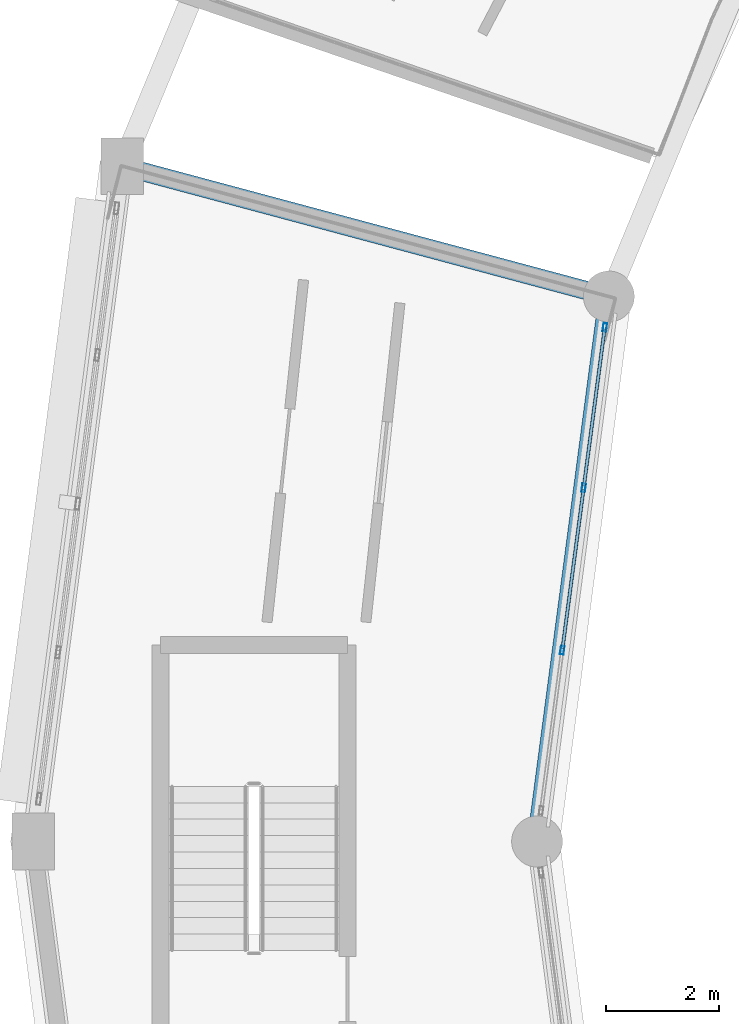
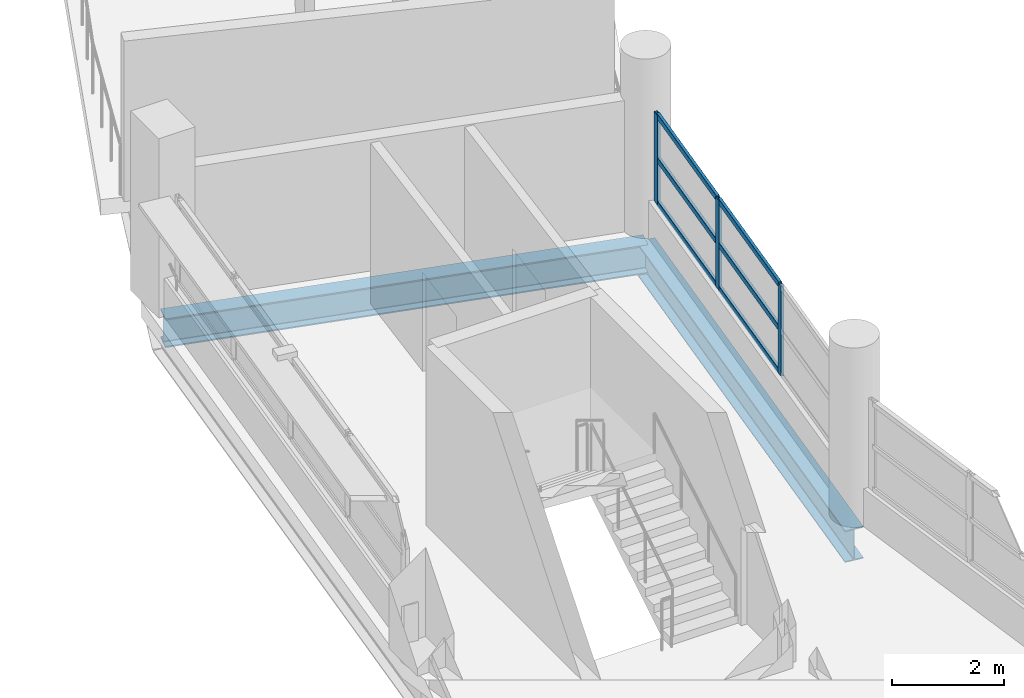
# One storey, part 38 of 121: 9 members, 2 beams, 1 element without a shape of its own.
"""IFC4 building model written with IfcOpenShell, lengths in metres."""

from ifc_helpers import new_model, si_unit, direction, frame, origin, origin_2d, place, context, subcontext, project, spatial, hollow_rectangle, i_section, extrude, material, layer, layer_set, material_profile, profile_set, type_object, element, aggregate, save


model = new_model("IFC4")

# Units and contexts
model_context = context("Model", 3, precision=1e-05, world=origin(), true_north=direction((0.0, 1.0)))
body_context = subcontext(model_context, "Body", "Model", "MODEL_VIEW")
ifc_project = project(units=[si_unit("LENGTHUNIT", "METRE"), si_unit("AREAUNIT", "SQUARE_METRE"), si_unit("VOLUMEUNIT", "CUBIC_METRE"), si_unit("PLANEANGLEUNIT", "RADIAN"), si_unit("MASSUNIT", "GRAM", prefix="KILO")], contexts=[model_context])

# Site, building, storey
site_placement = place(None, origin())
site = spatial("IfcSite", under=ifc_project, at=site_placement, CompositionType="ELEMENT")
building_placement = place(site_placement, origin())
building = spatial("IfcBuilding", under=site, at=building_placement, Name="Vespera Passage Community Centre", CompositionType="ELEMENT")
storey_placement = place(building_placement, frame((0.0, 0.0, 8.699951171875)))
storey = spatial("IfcBuildingStorey", under=building, at=storey_placement, Name="L02", CompositionType="ELEMENT", Elevation=8.699951171875)

# Beams
ifc_material_1 = material(Name="Steel ASTM A992 Grade 50", Category="steel")
ifc_material_profile_1 = material_profile(ifc_material_1, i_section(OverallWidth=0.32763671875, OverallDepth=0.62841796875, WebThickness=0.0166015625, FlangeThickness=0.027587890625, FilletRadius=0.0126953125, at=origin_2d()), Name="W24X146")
ifc_profile_set_1 = profile_set([ifc_material_profile_1], Name="Steel ASTM A992 Grade 50")
beam_type_1 = type_object("IfcBeamType", Name="BM-G-W24X146", PredefinedType="BEAM", material=ifc_profile_set_1)
beam_1_placement = place(storey_placement, frame((42.067626953125, 75.128173828125, -0.654052734375), z_axis=(-0.9659278487, 0.258811497245, 0.0), x_axis=(-0.258811497245, -0.9659278487, 0.0)))
element("IfcBeam", 1, at=beam_1_placement, inside=storey, type_object=beam_type_1, Name="V4 L02 Radial Girder 11", PredefinedType="BEAM", context=body_context, shape_type="SweptSolid", body=[
    extrude(i_section(OverallWidth=0.32763671875, OverallDepth=0.62841796875, WebThickness=0.0166015625, FlangeThickness=0.027587890625, FilletRadius=0.0126953125, at=origin_2d()), origin(), (0.0, 0.0, 1.0), 8.900146484375),
])
ifc_material_2 = material(Name="Steel ASTM A992 Grade 50", Category="steel")
ifc_material_profile_2 = material_profile(ifc_material_2, i_section(OverallWidth=0.3544921875, OverallDepth=0.695556640625, WebThickness=0.015380859375, FlangeThickness=0.024658203125, FilletRadius=0.01513671875, at=origin_2d()), Name="W27X146")
ifc_profile_set_2 = profile_set([ifc_material_profile_2], Name="Steel ASTM A992 Grade 50")
beam_type_2 = type_object("IfcBeamType", Name="BM-SP-W27X146E", PredefinedType="SPANDREL", material=ifc_profile_set_2)
beam_2_placement = place(storey_placement, frame((42.067626953125, 75.128173828125, -0.687744140625), z_axis=(-0.130526697639, -0.991444794834, 0.0), x_axis=(0.991444794834, -0.130526697639, 0.0)))
element("IfcBeam", 2, at=beam_2_placement, inside=storey, type_object=beam_type_2, Name="V4 L02 Inner Spandrel 11", PredefinedType="SPANDREL", context=body_context, shape_type="SweptSolid", body=[
    extrude(i_section(OverallWidth=0.3544921875, OverallDepth=0.695556640625, WebThickness=0.015380859375, FlangeThickness=0.024658203125, FilletRadius=0.01513671875, at=origin_2d()), origin(), (0.0, 0.0, 1.0), 9.711181640625),
])

# Curtain wall, members
ifc_material_3 = material(Name="Anodized aluminium 6063-T6", Category="aluminium")
ifc_layer = layer(ifc_material_3, 0.159912109375)
ifc_layer_set = layer_set([ifc_layer], Name="Anodized aluminium 6063-T6")
curtain_wall_type = type_object("IfcCurtainWallType", Name="CW-27E", PredefinedType="NOTDEFINED", material=ifc_layer_set)
curtain_wall_placement = place(storey_placement, origin())
curtain_wall = element("IfcCurtainWall", 3, at=curtain_wall_placement, inside=storey, type_object=curtain_wall_type, Name="V4 L02 Inner Court Curtain Wall 11", PredefinedType="NOTDEFINED")
ifc_material_4 = material(Name="Anodized aluminium 6063-T6", Category="aluminium")
ifc_material_profile_3 = material_profile(ifc_material_4, hollow_rectangle(XDim=0.06494140625, YDim=0.14990234375, WallThickness=0.00390625, InnerFilletRadius=0.001953125, OuterFilletRadius=0.00390625, at=origin_2d()), Name="ALU150X65X4")
ifc_profile_set_3 = profile_set([ifc_material_profile_3], Name="Anodized aluminium 6063-T6")
member_type_1 = type_object("IfcMemberType", Name="MB-CWM-150E", PredefinedType="MULLION", material=ifc_profile_set_3)
member_1_placement = place(storey_placement, frame((41.995849609375, 74.582763671875, 0.820068359375), z_axis=(0.0, 0.0, 1.0), x_axis=(0.991445387728, -0.1305221941, 0.0)))
member_1 = element("IfcMember", 4, at=member_1_placement, type_object=member_type_1, Name="CW-27E mullion 1", PredefinedType="MULLION", context=body_context, shape_type="SweptSolid", body=[
    extrude(hollow_rectangle(XDim=0.06494140625, YDim=0.14990234375, WallThickness=0.00390625, InnerFilletRadius=0.001953125, OuterFilletRadius=0.00390625, at=origin_2d()), origin(), (0.0, 0.0, 1.0), 1.949462890625),
])
member_2_placement = place(storey_placement, frame((41.62255859375, 71.74755859375, 0.820068359375), z_axis=(0.0, 0.0, 1.0), x_axis=(0.991445387728, -0.1305221941, 0.0)))
member_2 = element("IfcMember", 5, at=member_2_placement, type_object=member_type_1, Name="CW-27E mullion 2", PredefinedType="MULLION", context=body_context, shape_type="SweptSolid", body=[
    extrude(hollow_rectangle(XDim=0.06494140625, YDim=0.14990234375, WallThickness=0.00390625, InnerFilletRadius=0.001953125, OuterFilletRadius=0.00390625, at=origin_2d()), origin(), (0.0, 0.0, 1.0), 1.949462890625),
])
member_3_placement = place(storey_placement, frame((41.2451171875, 68.88037109375, 0.820068359375), z_axis=(0.0, 0.0, 1.0), x_axis=(0.991445387728, -0.1305221941, 0.0)))
member_3 = element("IfcMember", 6, at=member_3_placement, type_object=member_type_1, Name="CW-27E mullion 3", PredefinedType="MULLION", context=body_context, shape_type="SweptSolid", body=[
    extrude(hollow_rectangle(XDim=0.06494140625, YDim=0.14990234375, WallThickness=0.00390625, InnerFilletRadius=0.001953125, OuterFilletRadius=0.00390625, at=origin_2d()), origin(), (0.0, 0.0, 1.0), 1.949462890625),
])
ifc_material_5 = material(Name="Anodized aluminium 6063-T6", Category="aluminium")
ifc_material_profile_4 = material_profile(ifc_material_5, hollow_rectangle(XDim=0.06005859375, YDim=0.1201171875, WallThickness=0.00390625, InnerFilletRadius=0.001953125, OuterFilletRadius=0.00390625, at=origin_2d()), Name="ALU120X60X4")
ifc_profile_set_4 = profile_set([ifc_material_profile_4], Name="Anodized aluminium 6063-T6")
member_type_2 = type_object("IfcMemberType", Name="MB-CWT-120E", PredefinedType="USERDEFINED", material=ifc_profile_set_4)
member_4_placement = place(storey_placement, frame((41.991455078125, 74.550537109375, 0.85009765625), z_axis=(-0.130515527399, -0.991446265366, 0.0), x_axis=(0.991446265366, -0.130515527399, 0.0)))
member_4 = element("IfcMember", 7, at=member_4_placement, type_object=member_type_2, Name="CW-27E transom 1.1", ObjectType="TRANSOM", PredefinedType="USERDEFINED", context=body_context, shape_type="SweptSolid", body=[
    extrude(hollow_rectangle(XDim=0.06005859375, YDim=0.1201171875, WallThickness=0.00390625, InnerFilletRadius=0.001953125, OuterFilletRadius=0.00390625, at=origin_2d()), origin(), (0.0, 0.0, 1.0), 2.794677734375),
])
member_5_placement = place(storey_placement, frame((41.991455078125, 74.550537109375, 1.794677734375), z_axis=(-0.130515527399, -0.991446265366, 0.0), x_axis=(0.991446265366, -0.130515527399, 0.0)))
member_5 = element("IfcMember", 8, at=member_5_placement, type_object=member_type_2, Name="CW-27E transom 1.2", ObjectType="TRANSOM", PredefinedType="USERDEFINED", context=body_context, shape_type="SweptSolid", body=[
    extrude(hollow_rectangle(XDim=0.06005859375, YDim=0.1201171875, WallThickness=0.00390625, InnerFilletRadius=0.001953125, OuterFilletRadius=0.00390625, at=origin_2d()), origin(), (0.0, 0.0, 1.0), 2.794677734375),
])
member_6_placement = place(storey_placement, frame((41.991455078125, 74.550537109375, 2.739501953125), z_axis=(-0.130515527399, -0.991446265366, 0.0), x_axis=(0.991446265366, -0.130515527399, 0.0)))
member_6 = element("IfcMember", 9, at=member_6_placement, type_object=member_type_2, Name="CW-27E transom 1.3", ObjectType="TRANSOM", PredefinedType="USERDEFINED", context=body_context, shape_type="SweptSolid", body=[
    extrude(hollow_rectangle(XDim=0.06005859375, YDim=0.1201171875, WallThickness=0.00390625, InnerFilletRadius=0.001953125, OuterFilletRadius=0.00390625, at=origin_2d()), origin(), (0.0, 0.0, 1.0), 2.794677734375),
])
member_7_placement = place(storey_placement, frame((41.618408203125, 71.71533203125, 0.85009765625), z_axis=(-0.130579616175, -0.991437826512, 0.0), x_axis=(0.991437826512, -0.130579616175, 0.0)))
member_7 = element("IfcMember", 10, at=member_7_placement, type_object=member_type_2, Name="CW-27E transom 2.1", ObjectType="TRANSOM", PredefinedType="USERDEFINED", context=body_context, shape_type="SweptSolid", body=[
    extrude(hollow_rectangle(XDim=0.06005859375, YDim=0.1201171875, WallThickness=0.00390625, InnerFilletRadius=0.001953125, OuterFilletRadius=0.00390625, at=origin_2d()), origin(), (0.0, 0.0, 1.0), 2.826904296875),
])
member_8_placement = place(storey_placement, frame((41.618408203125, 71.71533203125, 1.794677734375), z_axis=(-0.130579616175, -0.991437826512, 0.0), x_axis=(0.991437826512, -0.130579616175, 0.0)))
member_8 = element("IfcMember", 11, at=member_8_placement, type_object=member_type_2, Name="CW-27E transom 2.2", ObjectType="TRANSOM", PredefinedType="USERDEFINED", context=body_context, shape_type="SweptSolid", body=[
    extrude(hollow_rectangle(XDim=0.06005859375, YDim=0.1201171875, WallThickness=0.00390625, InnerFilletRadius=0.001953125, OuterFilletRadius=0.00390625, at=origin_2d()), origin(), (0.0, 0.0, 1.0), 2.826904296875),
])
member_9_placement = place(storey_placement, frame((41.618408203125, 71.71533203125, 2.739501953125), z_axis=(-0.130579616175, -0.991437826512, 0.0), x_axis=(0.991437826512, -0.130579616175, 0.0)))
member_9 = element("IfcMember", 12, at=member_9_placement, type_object=member_type_2, Name="CW-27E transom 2.3", ObjectType="TRANSOM", PredefinedType="USERDEFINED", context=body_context, shape_type="SweptSolid", body=[
    extrude(hollow_rectangle(XDim=0.06005859375, YDim=0.1201171875, WallThickness=0.00390625, InnerFilletRadius=0.001953125, OuterFilletRadius=0.00390625, at=origin_2d()), origin(), (0.0, 0.0, 1.0), 2.826904296875),
])
aggregate(curtain_wall, [member_1, member_2, member_3, member_4, member_5, member_6, member_7, member_8, member_9])

save(model, "model.ifc")
